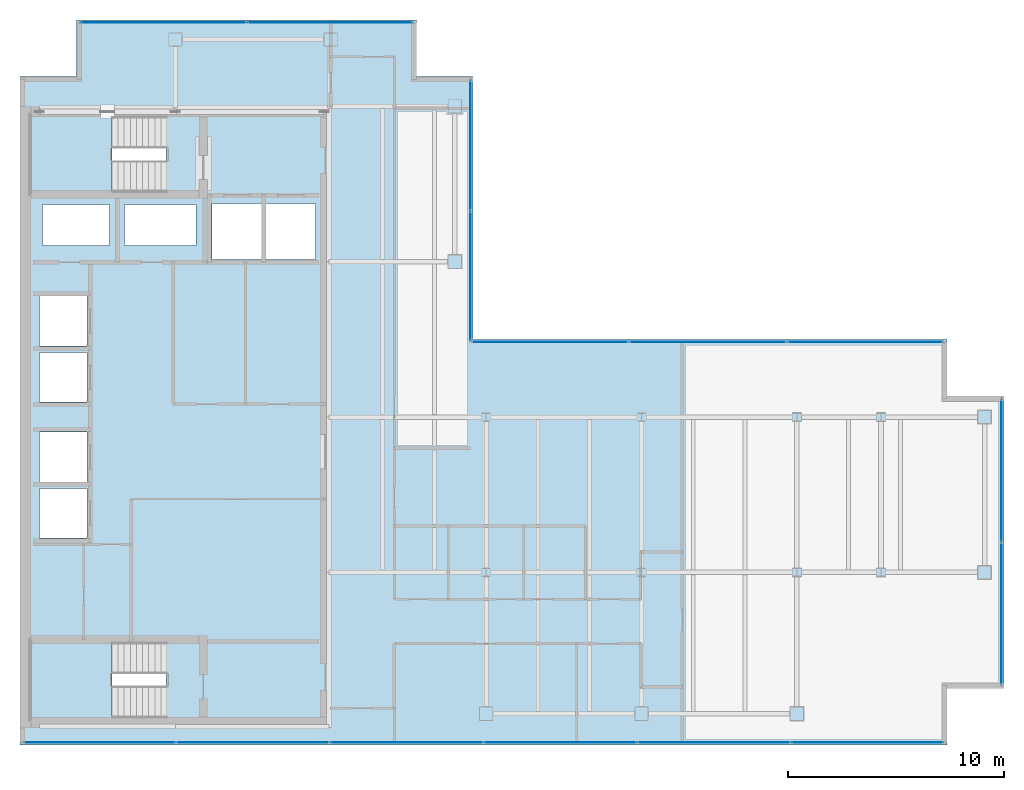
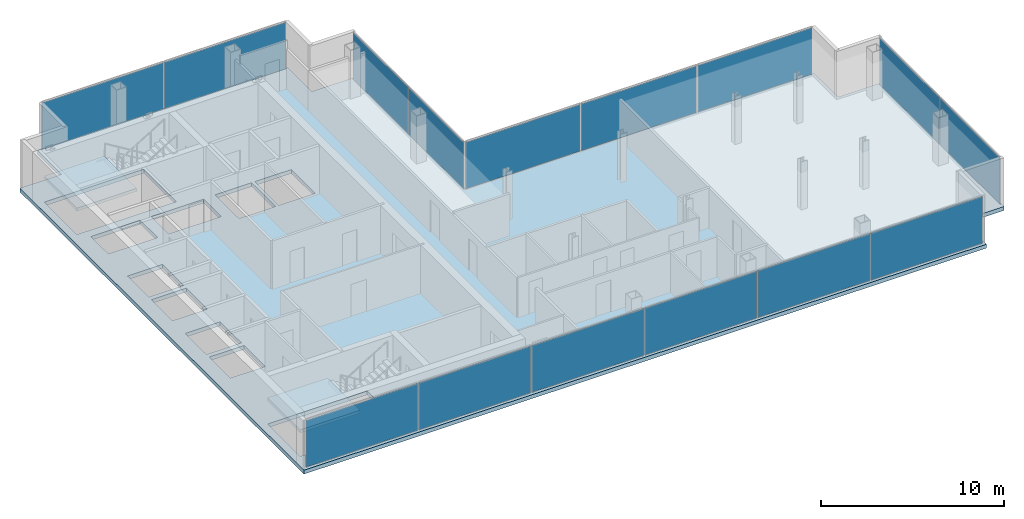
# One storey, part 19 of 23: 15 plates, 3 slabs, 10 openings, 7 elements without a shape of their own.
"""IFC4 building model written with IfcOpenShell, lengths in metres."""

from ifc_helpers import new_model, si_unit, direction, frame, origin, origin_2d, place, context, subcontext, project, spatial, polyline, rectangle, outline, extrude, material, layer, layer_set, type_object, element, aggregate, save


model = new_model("IFC4")

# Units and contexts
model_context = context("Model", 3, precision=1e-05, world=origin(), true_north=direction((0.0, 1.0)))
body_context = subcontext(model_context, "Body", "Model", "MODEL_VIEW")
ifc_project = project(units=[si_unit("LENGTHUNIT", "METRE"), si_unit("AREAUNIT", "SQUARE_METRE"), si_unit("VOLUMEUNIT", "CUBIC_METRE"), si_unit("PLANEANGLEUNIT", "RADIAN"), si_unit("MASSUNIT", "GRAM", prefix="KILO")], contexts=[model_context])

# Site, building, storey
site_placement = place(None, origin())
site = spatial("IfcSite", under=ifc_project, at=site_placement, CompositionType="ELEMENT")
building_placement = place(site_placement, origin())
building = spatial("IfcBuilding", under=site, at=building_placement, Name="Cobrela Telecom Tower", CompositionType="ELEMENT")
storey_placement = place(building_placement, frame((0.0, 0.0, 272.64990234375)))
storey = spatial("IfcBuildingStorey", under=building, at=storey_placement, Name="L71", CompositionType="ELEMENT", Elevation=272.64990234375)

# Curtain wall, plates
ifc_material_1 = material(Name="Anodized Bronze Aluminium 6063-T6", Category="aluminium")
curtain_wall_type = type_object("IfcCurtainWallType", Name="CW-SYS-OFF-HI", PredefinedType="USERDEFINED", material=ifc_material_1)
curtain_wall_1_placement = place(storey_placement, origin())
curtain_wall_1 = element("IfcCurtainWall", 1, at=curtain_wall_1_placement, inside=storey, type_object=curtain_wall_type, Name="L71 Unitised Bronze Curtain Wall 05", ObjectType="UNITISED CURTAIN WALL", PredefinedType="USERDEFINED")
ifc_material_2 = material(Name="Solar-Control Bronze Low-E Glass", Category="glass")
ifc_layer_1 = layer(ifc_material_2, 0.030029296875)
ifc_layer_set_1 = layer_set([ifc_layer_1], Name="Solar-Control Bronze Low-E Glass")
plate_type = type_object("IfcPlateType", Name="CW-SYS-OFF-HI-PNL", PredefinedType="CURTAIN_PANEL", material=ifc_layer_set_1)
plate_1_placement = place(storey_placement, frame((6.642578125, 39.8798828125, 0.06494140625), z_axis=(0.0, 0.0, 1.0), x_axis=(1.0, 0.0, 0.0)))
plate_1 = element("IfcPlate", 2, at=plate_1_placement, type_object=plate_type, Name="CW-OFF-HI panel 1.1", PredefinedType="CURTAIN_PANEL", context=body_context, shape_type="SweptSolid", body=[
    extrude(rectangle(XDim=7.64501953125, YDim=0.030029296875, at=origin_2d()), origin(), (0.0, 0.0, 1.0), 3.110107421875),
])
plate_2_placement = place(storey_placement, frame((14.357421875, 39.8798828125, 0.06494140625), z_axis=(0.0, 0.0, 1.0), x_axis=(1.0, 0.0, 0.0)))
plate_2 = element("IfcPlate", 3, at=plate_2_placement, type_object=plate_type, Name="CW-OFF-HI panel 2.1", PredefinedType="CURTAIN_PANEL", context=body_context, shape_type="SweptSolid", body=[
    extrude(rectangle(XDim=7.64501953125, YDim=0.030029296875, at=origin_2d()), origin(), (0.0, 0.0, 1.0), 3.110107421875),
])
aggregate(curtain_wall_1, [plate_1, plate_2])

curtain_wall_2_placement = place(storey_placement, origin())
curtain_wall_2 = element("IfcCurtainWall", 4, at=curtain_wall_2_placement, inside=storey, type_object=curtain_wall_type, Name="L71 Unitised Bronze Curtain Wall 08", ObjectType="UNITISED CURTAIN WALL", PredefinedType="USERDEFINED")
plate_3_placement = place(storey_placement, frame((20.8798828125, 34.18994140625, 0.06494140625), z_axis=(0.0, 0.0, 1.0), x_axis=(0.0, -1.0, 0.0)))
plate_3 = element("IfcPlate", 5, at=plate_3_placement, type_object=plate_type, Name="CW-OFF-HI panel 1.1", PredefinedType="CURTAIN_PANEL", context=body_context, shape_type="SweptSolid", body=[
    extrude(rectangle(XDim=5.97998046875, YDim=0.030029296875, at=origin_2d()), origin(), (0.0, 0.0, 1.0), 3.110107421875),
])
plate_4_placement = place(storey_placement, frame((20.8798828125, 28.139892578125, 0.06494140625), z_axis=(0.0, 0.0, 1.0), x_axis=(0.0, -1.0, 0.0)))
plate_4 = element("IfcPlate", 6, at=plate_4_placement, type_object=plate_type, Name="CW-OFF-HI panel 2.1", PredefinedType="CURTAIN_PANEL", context=body_context, shape_type="SweptSolid", body=[
    extrude(rectangle(XDim=5.97998046875, YDim=0.030029296875, at=origin_2d()), origin(), (0.0, 0.0, 1.0), 3.110107421875),
])
aggregate(curtain_wall_2, [plate_3, plate_4])

curtain_wall_3_placement = place(storey_placement, origin())
curtain_wall_3 = element("IfcCurtainWall", 7, at=curtain_wall_3_placement, inside=storey, type_object=curtain_wall_type, Name="L71 Unitised Bronze Curtain Wall 09", ObjectType="UNITISED CURTAIN WALL", PredefinedType="USERDEFINED")
plate_5_placement = place(storey_placement, frame((24.55908203125, 25.080078125, 0.06494140625), z_axis=(0.0, 0.0, 1.0), x_axis=(1.0, 0.0, 0.0)))
plate_5 = element("IfcPlate", 8, at=plate_5_placement, type_object=plate_type, Name="CW-OFF-HI panel 1.1", PredefinedType="CURTAIN_PANEL", context=body_context, shape_type="SweptSolid", body=[
    extrude(rectangle(XDim=7.21826171875, YDim=0.030029296875, at=origin_2d()), origin(), (0.0, 0.0, 1.0), 3.110107421875),
])
plate_6_placement = place(storey_placement, frame((31.864990234375, 25.080078125, 0.06494140625), z_axis=(0.0, 0.0, 1.0), x_axis=(1.0, 0.0, 0.0)))
plate_6 = element("IfcPlate", 9, at=plate_6_placement, type_object=plate_type, Name="CW-OFF-HI panel 2.1", PredefinedType="CURTAIN_PANEL", context=body_context, shape_type="SweptSolid", body=[
    extrude(rectangle(XDim=7.25341796875, YDim=0.030029296875, at=origin_2d()), origin(), (0.0, 0.0, 1.0), 3.110107421875),
])
plate_7_placement = place(storey_placement, frame((39.1708984375, 25.080078125, 0.06494140625), z_axis=(0.0, 0.0, 1.0), x_axis=(1.0, 0.0, 0.0)))
plate_7 = element("IfcPlate", 10, at=plate_7_placement, type_object=plate_type, Name="CW-OFF-HI panel 3.1", PredefinedType="CURTAIN_PANEL", context=body_context, shape_type="SweptSolid", body=[
    extrude(rectangle(XDim=7.21826171875, YDim=0.030029296875, at=origin_2d()), origin(), (0.0, 0.0, 1.0), 3.110107421875),
])
aggregate(curtain_wall_3, [plate_5, plate_6, plate_7])

curtain_wall_4_placement = place(storey_placement, origin())
curtain_wall_4 = element("IfcCurtainWall", 11, at=curtain_wall_4_placement, inside=storey, type_object=curtain_wall_type, Name="L71 Unitised Bronze Curtain Wall 12", ObjectType="UNITISED CURTAIN WALL", PredefinedType="USERDEFINED")
plate_8_placement = place(storey_placement, frame((45.47998046875, 19.107421875, 0.06494140625), z_axis=(0.0, 0.0, 1.0), x_axis=(0.0, -1.0, 0.0)))
plate_8 = element("IfcPlate", 12, at=plate_8_placement, type_object=plate_type, Name="CW-OFF-HI panel 1.1", PredefinedType="CURTAIN_PANEL", context=body_context, shape_type="SweptSolid", body=[
    extrude(rectangle(XDim=6.544921875, YDim=0.030029296875, at=origin_2d()), origin(), (0.0, 0.0, 1.0), 3.110107421875),
])
plate_9_placement = place(storey_placement, frame((45.47998046875, 12.492431640625, 0.06494140625), z_axis=(0.0, 0.0, 1.0), x_axis=(0.0, -1.0, 0.0)))
plate_9 = element("IfcPlate", 13, at=plate_9_placement, type_object=plate_type, Name="CW-OFF-HI panel 2.1", PredefinedType="CURTAIN_PANEL", context=body_context, shape_type="SweptSolid", body=[
    extrude(rectangle(XDim=6.544921875, YDim=0.030029296875, at=origin_2d()), origin(), (0.0, 0.0, 1.0), 3.110107421875),
])
aggregate(curtain_wall_4, [plate_8, plate_9])

curtain_wall_5_placement = place(storey_placement, origin())
curtain_wall_5 = element("IfcCurtainWall", 14, at=curtain_wall_5_placement, inside=storey, type_object=curtain_wall_type, Name="L71 Unitised Bronze Curtain Wall 15", ObjectType="UNITISED CURTAIN WALL", PredefinedType="USERDEFINED")
plate_10_placement = place(storey_placement, frame((39.271728515625, 6.52001953125, 0.06494140625), z_axis=(0.0, 0.0, 1.0), x_axis=(-1.0, 0.0, 0.0)))
plate_10 = element("IfcPlate", 15, at=plate_10_placement, type_object=plate_type, Name="CW-OFF-HI panel 1.1", PredefinedType="CURTAIN_PANEL", context=body_context, shape_type="SweptSolid", body=[
    extrude(rectangle(XDim=7.0166015625, YDim=0.030029296875, at=origin_2d()), origin(), (0.0, 0.0, 1.0), 3.110107421875),
])
plate_11_placement = place(storey_placement, frame((32.16748046875, 6.52001953125, 0.06494140625), z_axis=(0.0, 0.0, 1.0), x_axis=(-1.0, 0.0, 0.0)))
plate_11 = element("IfcPlate", 16, at=plate_11_placement, type_object=plate_type, Name="CW-OFF-HI panel 2.1", PredefinedType="CURTAIN_PANEL", context=body_context, shape_type="SweptSolid", body=[
    extrude(rectangle(XDim=7.0517578125, YDim=0.030029296875, at=origin_2d()), origin(), (0.0, 0.0, 1.0), 3.110107421875),
])
plate_12_placement = place(storey_placement, frame((25.0458984375, 6.52001953125, 0.06494140625), z_axis=(0.0, 0.0, 1.0), x_axis=(-1.0, 0.0, 0.0)))
plate_12 = element("IfcPlate", 17, at=plate_12_placement, type_object=plate_type, Name="CW-OFF-HI panel 3.1", PredefinedType="CURTAIN_PANEL", context=body_context, shape_type="SweptSolid", body=[
    extrude(rectangle(XDim=7.0517578125, YDim=0.030029296875, at=origin_2d()), origin(), (0.0, 0.0, 1.0), 3.110107421875),
])
plate_13_placement = place(storey_placement, frame((17.924072265625, 6.52001953125, 0.06494140625), z_axis=(0.0, 0.0, 1.0), x_axis=(-1.0, 0.0, 0.0)))
plate_13 = element("IfcPlate", 18, at=plate_13_placement, type_object=plate_type, Name="CW-OFF-HI panel 4.1", PredefinedType="CURTAIN_PANEL", context=body_context, shape_type="SweptSolid", body=[
    extrude(rectangle(XDim=7.0517578125, YDim=0.030029296875, at=origin_2d()), origin(), (0.0, 0.0, 1.0), 3.110107421875),
])
plate_14_placement = place(storey_placement, frame((10.802490234375, 6.52001953125, 0.06494140625), z_axis=(0.0, 0.0, 1.0), x_axis=(-1.0, 0.0, 0.0)))
plate_14 = element("IfcPlate", 19, at=plate_14_placement, type_object=plate_type, Name="CW-OFF-HI panel 5.1", PredefinedType="CURTAIN_PANEL", context=body_context, shape_type="SweptSolid", body=[
    extrude(rectangle(XDim=7.0517578125, YDim=0.030029296875, at=origin_2d()), origin(), (0.0, 0.0, 1.0), 3.110107421875),
])
plate_15_placement = place(storey_placement, frame((3.6982421875, 6.52001953125, 0.06494140625), z_axis=(0.0, 0.0, 1.0), x_axis=(-1.0, 0.0, 0.0)))
plate_15 = element("IfcPlate", 20, at=plate_15_placement, type_object=plate_type, Name="CW-OFF-HI panel 6.1", PredefinedType="CURTAIN_PANEL", context=body_context, shape_type="SweptSolid", body=[
    extrude(rectangle(XDim=7.0166015625, YDim=0.030029296875, at=origin_2d()), origin(), (0.0, 0.0, 1.0), 3.110107421875),
])
aggregate(curtain_wall_5, [plate_10, plate_11, plate_12, plate_13, plate_14, plate_15])

# Slab, openings
ifc_material_3 = material(Name="Concrete C40/50", Category="concrete")
ifc_layer_2 = layer(ifc_material_3, 0.260009765625)
ifc_layer_set_2 = layer_set([ifc_layer_2], Name="Concrete C40/50")
slab_type_1 = type_object("IfcSlabType", Name="SLAB-FLR-260", PredefinedType="FLOOR", material=ifc_layer_set_2)
slab_1_placement = place(storey_placement, frame((0.0, 0.0, -0.260009765625)))
slab_1 = element("IfcSlab", 21, at=slab_1_placement, inside=storey, type_object=slab_type_1, Name="L71 Structural Floor Slab", PredefinedType="FLOOR", context=body_context, shape_type="SweptSolid", body=[
    extrude(outline(polyline([(0.0, 6.39990234375), (42.969970703125, 6.39990234375), (42.969970703125, 9.030029296875), (45.60009765625, 9.030029296875), (45.60009765625, 22.570068359375), (42.969970703125, 22.570068359375), (42.969970703125, 25.199951171875), (21.0, 25.199951171875), (21.0, 37.3701171875), (18.3701171875, 37.3701171875), (18.3701171875, 40.0), (2.6298828125, 40.0), (2.6298828125, 37.3701171875), (0.0, 37.3701171875), (0.0, 6.39990234375)])), origin(), (0.0, 0.0, 1.0), 0.260009765625),
])
opening_1_placement = place(slab_1_placement, frame((0.0, 0.0, -0.02001953125)))
element("IfcOpeningElement", 22, at=opening_1_placement, cuts=slab_1, Name="Slab Shaft Opening SLAB-L71-MAIN.1", PredefinedType="OPENING", context=body_context, shape_type="SweptSolid", body=[
    extrude(outline(polyline([(8.89990234375, 28.89990234375), (11.199951171875, 28.89990234375), (11.199951171875, 31.5), (8.89990234375, 31.5), (8.89990234375, 28.89990234375)])), origin(), (0.0, 0.0, 1.0), 0.300048828125),
])
opening_2_placement = place(slab_1_placement, frame((0.0, 0.0, -0.02001953125)))
element("IfcOpeningElement", 23, at=opening_2_placement, cuts=slab_1, Name="Slab Shaft Opening SLAB-L71-MAIN.2", PredefinedType="OPENING", context=body_context, shape_type="SweptSolid", body=[
    extrude(outline(polyline([(11.39990234375, 28.89990234375), (13.699951171875, 28.89990234375), (13.699951171875, 31.5), (11.39990234375, 31.5), (11.39990234375, 28.89990234375)])), origin(), (0.0, 0.0, 1.0), 0.300048828125),
])
opening_3_placement = place(slab_1_placement, frame((0.0, 0.0, -0.02001953125)))
element("IfcOpeningElement", 24, at=opening_3_placement, cuts=slab_1, Name="Slab Shaft Opening SLAB-L71-MAIN.3", PredefinedType="OPENING", context=body_context, shape_type="SweptSolid", body=[
    extrude(outline(polyline([(0.89990234375, 16.0), (3.10009765625, 16.0), (3.10009765625, 18.300048828125), (0.89990234375, 18.300048828125), (0.89990234375, 16.0)])), origin(), (0.0, 0.0, 1.0), 0.300048828125),
])
opening_4_placement = place(slab_1_placement, frame((0.0, 0.0, -0.02001953125)))
element("IfcOpeningElement", 25, at=opening_4_placement, cuts=slab_1, Name="Slab Shaft Opening SLAB-L71-MAIN.4", PredefinedType="OPENING", context=body_context, shape_type="SweptSolid", body=[
    extrude(outline(polyline([(0.89990234375, 18.60009765625), (3.10009765625, 18.60009765625), (3.10009765625, 20.89990234375), (0.89990234375, 20.89990234375), (0.89990234375, 18.60009765625)])), origin(), (0.0, 0.0, 1.0), 0.300048828125),
])
opening_5_placement = place(slab_1_placement, frame((0.0, 0.0, -0.02001953125)))
element("IfcOpeningElement", 26, at=opening_5_placement, cuts=slab_1, Name="Slab Shaft Opening SLAB-L71-MAIN.5", PredefinedType="OPENING", context=body_context, shape_type="SweptSolid", body=[
    extrude(outline(polyline([(0.89990234375, 22.300048828125), (3.10009765625, 22.300048828125), (3.10009765625, 24.60009765625), (0.89990234375, 24.60009765625), (0.89990234375, 22.300048828125)])), origin(), (0.0, 0.0, 1.0), 0.300048828125),
])
opening_6_placement = place(slab_1_placement, frame((0.0, 0.0, -0.02001953125)))
element("IfcOpeningElement", 27, at=opening_6_placement, cuts=slab_1, Name="Slab Shaft Opening SLAB-L71-MAIN.6", PredefinedType="OPENING", context=body_context, shape_type="SweptSolid", body=[
    extrude(outline(polyline([(0.89990234375, 24.89990234375), (3.10009765625, 24.89990234375), (3.10009765625, 27.199951171875), (0.89990234375, 27.199951171875), (0.89990234375, 24.89990234375)])), origin(), (0.0, 0.0, 1.0), 0.300048828125),
])
opening_7_placement = place(slab_1_placement, frame((0.0, 0.0, -0.02001953125)))
element("IfcOpeningElement", 28, at=opening_7_placement, cuts=slab_1, Name="Slab Shaft Opening SLAB-L71-MAIN.7", PredefinedType="OPENING", context=body_context, shape_type="SweptSolid", body=[
    extrude(outline(polyline([(1.050048828125, 29.550048828125), (4.14990234375, 29.550048828125), (4.14990234375, 31.449951171875), (1.050048828125, 31.449951171875), (1.050048828125, 29.550048828125)])), origin(), (0.0, 0.0, 1.0), 0.300048828125),
])
opening_8_placement = place(slab_1_placement, frame((0.0, 0.0, -0.02001953125)))
element("IfcOpeningElement", 29, at=opening_8_placement, cuts=slab_1, Name="Slab Shaft Opening SLAB-L71-MAIN.8", PredefinedType="OPENING", context=body_context, shape_type="SweptSolid", body=[
    extrude(outline(polyline([(4.85009765625, 29.550048828125), (8.14990234375, 29.550048828125), (8.14990234375, 31.449951171875), (4.85009765625, 31.449951171875), (4.85009765625, 29.550048828125)])), origin(), (0.0, 0.0, 1.0), 0.300048828125),
])
opening_9_placement = place(slab_1_placement, frame((0.0, 0.0, -0.02001953125)))
element("IfcOpeningElement", 30, at=opening_9_placement, cuts=slab_1, Name="Slab Shaft Opening SLAB-L71-MAIN.9", PredefinedType="OPENING", context=body_context, shape_type="SweptSolid", body=[
    extrude(outline(polyline([(6.7548828125, 35.550048828125), (0.47998046875, 35.550048828125), (0.47998046875, 32.0), (6.7548828125, 32.0), (6.7548828125, 35.550048828125)])), origin(), (0.0, 0.0, 1.0), 0.300048828125),
])
opening_10_placement = place(slab_1_placement, frame((0.0, 0.0, -0.02001953125)))
element("IfcOpeningElement", 31, at=opening_10_placement, cuts=slab_1, Name="Slab Shaft Opening SLAB-L71-MAIN.10", PredefinedType="OPENING", context=body_context, shape_type="SweptSolid", body=[
    extrude(outline(polyline([(6.7548828125, 11.199951171875), (0.47998046875, 11.199951171875), (0.47998046875, 7.64990234375), (6.7548828125, 7.64990234375), (6.7548828125, 11.199951171875)])), origin(), (0.0, 0.0, 1.0), 0.300048828125),
])

# Stair, slab
stair_type = type_object("IfcStairType", Name="STAIR-CORE", PredefinedType="HALF_TURN_STAIR", material=ifc_material_3)
stair_1_placement = place(storey_placement, origin())
stair_1 = element("IfcStair", 32, at=stair_1_placement, inside=storey, type_object=stair_type, Name="L71 Smokeproof Exit Stair ST1", PredefinedType="HALF_TURN_STAIR")
ifc_layer_3 = layer(ifc_material_3, 0.199951171875)
ifc_layer_set_3 = layer_set([ifc_layer_3], Name="Concrete C40/50")
slab_type_2 = type_object("IfcSlabType", Name="SLAB-LAND-200", PredefinedType="LANDING", material=ifc_layer_set_3)
slab_2_placement = place(storey_placement, frame((0.0, 0.0, 1.550048828125)))
slab_2 = element("IfcSlab", 33, at=slab_2_placement, type_object=slab_type_2, Name="ST1 landing 1", PredefinedType="LANDING", context=body_context, shape_type="SweptSolid", body=[
    extrude(outline(polyline([(4.2548828125, 35.550048828125), (0.47998046875, 35.550048828125), (0.47998046875, 32.0), (4.2548828125, 32.0), (4.2548828125, 35.550048828125)])), origin(), (0.0, 0.0, 1.0), 0.199951171875),
])
aggregate(stair_1, [slab_2])

stair_2_placement = place(storey_placement, origin())
stair_2 = element("IfcStair", 34, at=stair_2_placement, inside=storey, type_object=stair_type, Name="L71 Smokeproof Exit Stair ST2", PredefinedType="HALF_TURN_STAIR")
slab_3_placement = place(storey_placement, frame((0.0, 0.0, 1.550048828125)))
slab_3 = element("IfcSlab", 35, at=slab_3_placement, type_object=slab_type_2, Name="ST2 landing 1", PredefinedType="LANDING", context=body_context, shape_type="SweptSolid", body=[
    extrude(outline(polyline([(4.2548828125, 11.199951171875), (0.47998046875, 11.199951171875), (0.47998046875, 7.64990234375), (4.2548828125, 7.64990234375), (4.2548828125, 11.199951171875)])), origin(), (0.0, 0.0, 1.0), 0.199951171875),
])
aggregate(stair_2, [slab_3])

save(model, "model.ifc")
